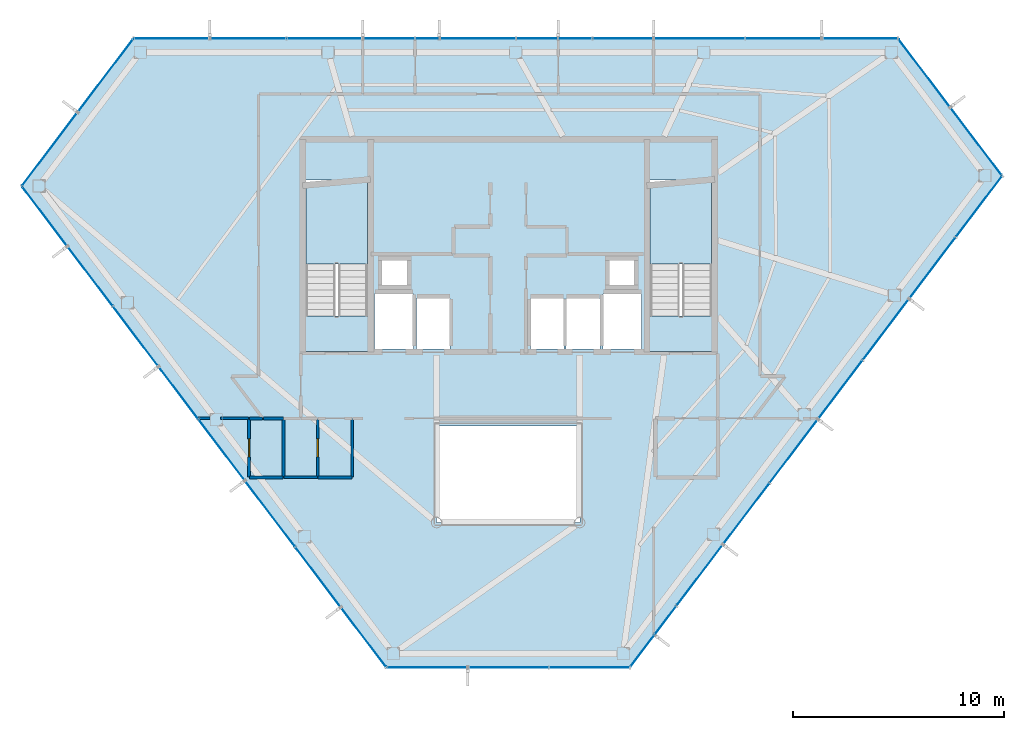
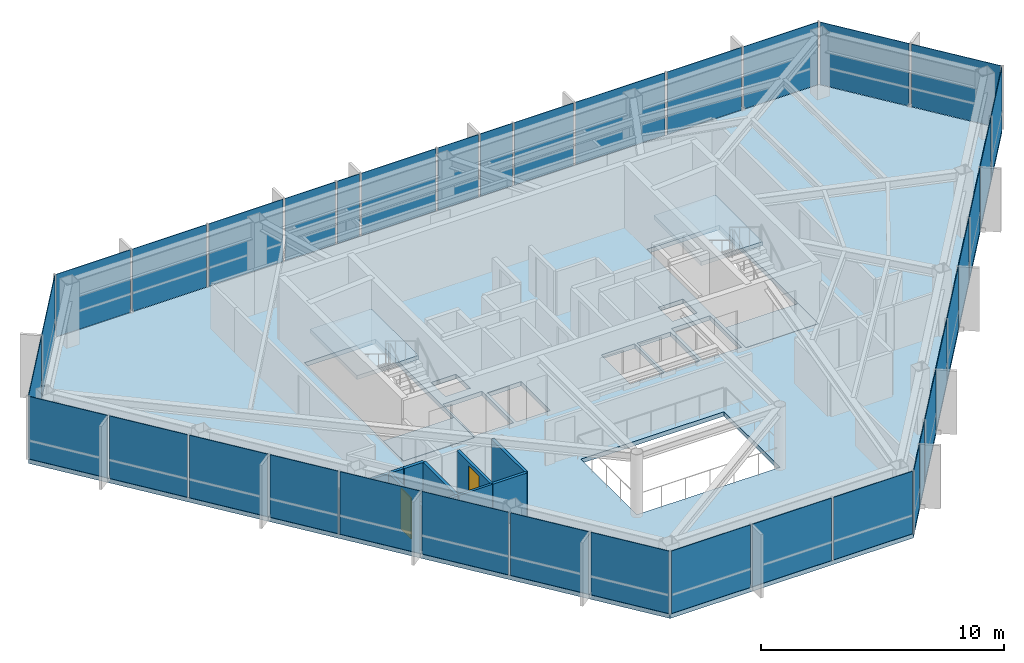
# One storey, part 23 of 27: 36 plates, 11 walls, 5 slabs, 2 doors, 2 openings, 8 elements without a shape of their own.
"""IFC4 building model written with IfcOpenShell, lengths in metres."""

from ifc_helpers import new_model, si_unit, direction, frame, frame_2d, origin, origin_2d, place, context, subcontext, project, spatial, polyline, rectangle, outline, extrude, material, layer, layer_set, type_object, element, fill, aggregate, save


model = new_model("IFC4")

# Units and contexts
model_context = context("Model", 3, precision=1e-05, world=origin(), true_north=direction((0.0, 1.0)))
body_context = subcontext(model_context, "Body", "Model", "MODEL_VIEW")
ifc_project = project(units=[si_unit("LENGTHUNIT", "METRE"), si_unit("AREAUNIT", "SQUARE_METRE"), si_unit("VOLUMEUNIT", "CUBIC_METRE"), si_unit("PLANEANGLEUNIT", "RADIAN"), si_unit("MASSUNIT", "GRAM", prefix="KILO")], contexts=[model_context])

# Site, building, storey
site_placement = place(None, origin())
site = spatial("IfcSite", under=ifc_project, at=site_placement, CompositionType="ELEMENT")
building_placement = place(site_placement, origin())
building = spatial("IfcBuilding", under=site, at=building_placement, Name="Zarrinselat Tower", CompositionType="ELEMENT")
storey_placement = place(building_placement, frame((0.0, 0.0, 232.56005859375)))
storey = spatial("IfcBuildingStorey", under=building, at=storey_placement, Name="L58", CompositionType="ELEMENT", Elevation=232.56005859375)

# Curtain wall, plates
ifc_material_1 = material(Name="Extruded Aluminium Alloy EN AW-6063 T6", Category="aluminium")
ifc_layer_1 = layer(ifc_material_1, 0.169921875)
ifc_layer_set_1 = layer_set([ifc_layer_1], Name="Extruded Aluminium Alloy EN AW-6063 T6")
curtain_wall_type = type_object("IfcCurtainWallType", Name="CWS-RES", PredefinedType="NOTDEFINED", material=ifc_layer_set_1)
curtain_wall_1_placement = place(storey_placement, origin())
curtain_wall_1 = element("IfcCurtainWall", 1, at=curtain_wall_1_placement, inside=storey, type_object=curtain_wall_type, Name="L58 Unitised Curtain Wall CW-L58-E01", PredefinedType="NOTDEFINED")
ifc_material_2 = material(Name="Double Low-E Laminated Solar Glass", Category="glass")
ifc_layer_2 = layer(ifc_material_2, 0.028076171875)
ifc_layer_set_2 = layer_set([ifc_layer_2], Name="Double Low-E Laminated Solar Glass")
plate_type = type_object("IfcPlateType", Name="PLT-CW-GL28", PredefinedType="CURTAIN_PANEL", material=ifc_layer_set_2)
plate_1_placement = place(storey_placement, frame((55.10009765625, 48.177734375, 0.02001953125), z_axis=(0.0, 0.0, 1.0), x_axis=(-1.0, 0.0, 0.0)))
plate_1 = element("IfcPlate", 2, at=plate_1_placement, type_object=plate_type, Name="CW-L58-E01 Vision Glass Panel 1", PredefinedType="CURTAIN_PANEL", context=body_context, shape_type="SweptSolid", body=[
    extrude(rectangle(XDim=3.530517578125, YDim=0.028076171875, at=origin_2d()), origin(), (0.0, 0.0, 1.0), 3.139892578125),
])
plate_2_placement = place(storey_placement, frame((51.469482421875, 48.177734375, 0.02001953125), z_axis=(0.0, 0.0, 1.0), x_axis=(-1.0, 0.0, 0.0)))
plate_2 = element("IfcPlate", 3, at=plate_2_placement, type_object=plate_type, Name="CW-L58-E01 Vision Glass Panel 2", PredefinedType="CURTAIN_PANEL", context=body_context, shape_type="SweptSolid", body=[
    extrude(rectangle(XDim=3.530517578125, YDim=0.028076171875, at=origin_2d()), origin(), (0.0, 0.0, 1.0), 3.139892578125),
])
plate_3_placement = place(storey_placement, frame((47.477294921875, 48.177734375, 0.02001953125), z_axis=(0.0, 0.0, 1.0), x_axis=(-1.0, 0.0, 0.0)))
plate_3 = element("IfcPlate", 4, at=plate_3_placement, type_object=plate_type, Name="CW-L58-E01 Vision Glass Panel 3", PredefinedType="CURTAIN_PANEL", context=body_context, shape_type="SweptSolid", body=[
    extrude(rectangle(XDim=4.25439453125, YDim=0.028076171875, at=origin_2d()), origin(), (0.0, 0.0, 1.0), 3.139892578125),
])
plate_4_placement = place(storey_placement, frame((43.846923828125, 48.177734375, 0.02001953125), z_axis=(0.0, 0.0, 1.0), x_axis=(-1.0, 0.0, 0.0)))
plate_4 = element("IfcPlate", 5, at=plate_4_placement, type_object=plate_type, Name="CW-L58-E01 Vision Glass Panel 4", PredefinedType="CURTAIN_PANEL", context=body_context, shape_type="SweptSolid", body=[
    extrude(rectangle(XDim=2.806396484375, YDim=0.028076171875, at=origin_2d()), origin(), (0.0, 0.0, 1.0), 3.139892578125),
])
plate_5_placement = place(storey_placement, frame((41.583740234375, 48.177734375, 0.02001953125), z_axis=(0.0, 0.0, 1.0), x_axis=(-1.0, 0.0, 0.0)))
plate_5 = element("IfcPlate", 6, at=plate_5_placement, type_object=plate_type, Name="CW-L58-E01 Vision Glass Panel 5", PredefinedType="CURTAIN_PANEL", context=body_context, shape_type="SweptSolid", body=[
    extrude(rectangle(XDim=1.52001953125, YDim=0.028076171875, at=origin_2d()), origin(), (0.0, 0.0, 1.0), 3.139892578125),
])
plate_6_placement = place(storey_placement, frame((39.7685546875, 48.177734375, 0.02001953125), z_axis=(0.0, 0.0, 1.0), x_axis=(-1.0, 0.0, 0.0)))
plate_6 = element("IfcPlate", 7, at=plate_6_placement, type_object=plate_type, Name="CW-L58-E01 Vision Glass Panel 6", PredefinedType="CURTAIN_PANEL", context=body_context, shape_type="SweptSolid", body=[
    extrude(rectangle(XDim=1.910400390625, YDim=0.028076171875, at=origin_2d()), origin(), (0.0, 0.0, 1.0), 3.139892578125),
])
plate_7_placement = place(storey_placement, frame((36.9482421875, 48.177734375, 0.02001953125), z_axis=(0.0, 0.0, 1.0), x_axis=(-1.0, 0.0, 0.0)))
plate_7 = element("IfcPlate", 8, at=plate_7_placement, type_object=plate_type, Name="CW-L58-E01 Vision Glass Panel 7", PredefinedType="CURTAIN_PANEL", context=body_context, shape_type="SweptSolid", body=[
    extrude(rectangle(XDim=3.530517578125, YDim=0.028076171875, at=origin_2d()), origin(), (0.0, 0.0, 1.0), 3.139892578125),
])
plate_8_placement = place(storey_placement, frame((34.55859375, 48.177734375, 0.02001953125), z_axis=(0.0, 0.0, 1.0), x_axis=(-1.0, 0.0, 0.0)))
plate_8 = element("IfcPlate", 9, at=plate_8_placement, type_object=plate_type, Name="CW-L58-E01 Vision Glass Panel 8", PredefinedType="CURTAIN_PANEL", context=body_context, shape_type="SweptSolid", body=[
    extrude(rectangle(XDim=1.049072265625, YDim=0.028076171875, at=origin_2d()), origin(), (0.0, 0.0, 1.0), 3.139892578125),
])
plate_9_placement = place(storey_placement, frame((32.741943359375, 48.177734375, 0.02001953125), z_axis=(0.0, 0.0, 1.0), x_axis=(-1.0, 0.0, 0.0)))
plate_9 = element("IfcPlate", 10, at=plate_9_placement, type_object=plate_type, Name="CW-L58-E01 Vision Glass Panel 9", PredefinedType="CURTAIN_PANEL", context=body_context, shape_type="SweptSolid", body=[
    extrude(rectangle(XDim=2.384033203125, YDim=0.028076171875, at=origin_2d()), origin(), (0.0, 0.0, 1.0), 3.139892578125),
])
plate_10_placement = place(storey_placement, frame((29.68603515625, 48.177734375, 0.02001953125), z_axis=(0.0, 0.0, 1.0), x_axis=(-1.0, 0.0, 0.0)))
plate_10 = element("IfcPlate", 11, at=plate_10_placement, type_object=plate_type, Name="CW-L58-E01 Vision Glass Panel 10", PredefinedType="CURTAIN_PANEL", context=body_context, shape_type="SweptSolid", body=[
    extrude(rectangle(XDim=3.52783203125, YDim=0.028076171875, at=origin_2d()), origin(), (0.0, 0.0, 1.0), 3.139892578125),
])
plate_11_placement = place(storey_placement, frame((26.05712890625, 48.177734375, 0.02001953125), z_axis=(0.0, 0.0, 1.0), x_axis=(-1.0, 0.0, 0.0)))
plate_11 = element("IfcPlate", 12, at=plate_11_placement, type_object=plate_type, Name="CW-L58-E01 Vision Glass Panel 11", PredefinedType="CURTAIN_PANEL", context=body_context, shape_type="SweptSolid", body=[
    extrude(rectangle(XDim=3.530517578125, YDim=0.028076171875, at=origin_2d()), origin(), (0.0, 0.0, 1.0), 3.139892578125),
])
plate_12_placement = place(storey_placement, frame((22.4267578125, 48.177734375, 0.02001953125), z_axis=(0.0, 0.0, 1.0), x_axis=(-1.0, 0.0, 0.0)))
plate_12 = element("IfcPlate", 13, at=plate_12_placement, type_object=plate_type, Name="CW-L58-E01 Vision Glass Panel 12", PredefinedType="CURTAIN_PANEL", context=body_context, shape_type="SweptSolid", body=[
    extrude(rectangle(XDim=3.530517578125, YDim=0.028076171875, at=origin_2d()), origin(), (0.0, 0.0, 1.0), 3.139892578125),
])
aggregate(curtain_wall_1, [plate_1, plate_2, plate_3, plate_4, plate_5, plate_6, plate_7, plate_8, plate_9, plate_10, plate_11, plate_12])

curtain_wall_2_placement = place(storey_placement, origin())
curtain_wall_2 = element("IfcCurtainWall", 14, at=curtain_wall_2_placement, inside=storey, type_object=curtain_wall_type, Name="L58 Unitised Curtain Wall CW-L58-E02", PredefinedType="NOTDEFINED")
plate_13_placement = place(storey_placement, frame((19.286376953125, 46.4287109375, 0.02001953125), z_axis=(0.0, 0.0, 1.0), x_axis=(-0.603855713814, -0.797093643742, 0.0)))
plate_13 = element("IfcPlate", 15, at=plate_13_placement, type_object=plate_type, Name="CW-L58-E02 Vision Glass Panel 1", PredefinedType="CURTAIN_PANEL", context=body_context, shape_type="SweptSolid", body=[
    extrude(rectangle(XDim=4.28857421875, YDim=0.028076171875, at=origin_2d()), origin(), (0.0, 0.0, 1.0), 3.139892578125),
])
plate_14_placement = place(storey_placement, frame((16.636474609375, 42.9306640625, 0.02001953125), z_axis=(0.0, 0.0, 1.0), x_axis=(-0.603855713814, -0.797093643742, 0.0)))
plate_14 = element("IfcPlate", 16, at=plate_14_placement, type_object=plate_type, Name="CW-L58-E02 Vision Glass Panel 2", PredefinedType="CURTAIN_PANEL", context=body_context, shape_type="SweptSolid", body=[
    extrude(rectangle(XDim=4.28857421875, YDim=0.028076171875, at=origin_2d()), origin(), (0.0, 0.0, 1.0), 3.139892578125),
])
aggregate(curtain_wall_2, [plate_13, plate_14])

curtain_wall_3_placement = place(storey_placement, origin())
curtain_wall_3 = element("IfcCurtainWall", 17, at=curtain_wall_3_placement, inside=storey, type_object=curtain_wall_type, Name="L58 Unitised Curtain Wall CW-L58-E03", PredefinedType="NOTDEFINED")
plate_15_placement = place(storey_placement, frame((16.39306640625, 39.75341796875, 0.02001953125), z_axis=(0.0, 0.0, 1.0), x_axis=(0.603857419315, -0.7970923517, 0.0)))
plate_15 = element("IfcPlate", 18, at=plate_15_placement, type_object=plate_type, Name="CW-L58-E03 Vision Glass Panel 1", PredefinedType="CURTAIN_PANEL", context=body_context, shape_type="SweptSolid", body=[
    extrude(rectangle(XDim=3.48291015625, YDim=0.028076171875, at=origin_2d()), origin(), (0.0, 0.0, 1.0), 3.139892578125),
])
plate_16_placement = place(storey_placement, frame((18.556640625, 36.897705078125, 0.02001953125), z_axis=(0.0, 0.0, 1.0), x_axis=(0.603857419315, -0.7970923517, 0.0)))
plate_16 = element("IfcPlate", 19, at=plate_16_placement, type_object=plate_type, Name="CW-L58-E03 Vision Glass Panel 2", PredefinedType="CURTAIN_PANEL", context=body_context, shape_type="SweptSolid", body=[
    extrude(rectangle(XDim=3.48291015625, YDim=0.028076171875, at=origin_2d()), origin(), (0.0, 0.0, 1.0), 3.139892578125),
])
plate_17_placement = place(storey_placement, frame((20.72021484375, 34.041748046875, 0.02001953125), z_axis=(0.0, 0.0, 1.0), x_axis=(0.603857419315, -0.7970923517, 0.0)))
plate_17 = element("IfcPlate", 20, at=plate_17_placement, type_object=plate_type, Name="CW-L58-E03 Vision Glass Panel 3", PredefinedType="CURTAIN_PANEL", context=body_context, shape_type="SweptSolid", body=[
    extrude(rectangle(XDim=3.48291015625, YDim=0.028076171875, at=origin_2d()), origin(), (0.0, 0.0, 1.0), 3.139892578125),
])
plate_18_placement = place(storey_placement, frame((22.7490234375, 31.36376953125, 0.02001953125), z_axis=(0.0, 0.0, 1.0), x_axis=(0.603857419315, -0.7970923517, 0.0)))
plate_18 = element("IfcPlate", 21, at=plate_18_placement, type_object=plate_type, Name="CW-L58-E03 Vision Glass Panel 4", PredefinedType="CURTAIN_PANEL", context=body_context, shape_type="SweptSolid", body=[
    extrude(rectangle(XDim=3.036376953125, YDim=0.028076171875, at=origin_2d()), origin(), (0.0, 0.0, 1.0), 3.139892578125),
])
plate_19_placement = place(storey_placement, frame((24.79931640625, 28.6572265625, 0.02001953125), z_axis=(0.0, 0.0, 1.0), x_axis=(0.603857419315, -0.7970923517, 0.0)))
plate_19 = element("IfcPlate", 22, at=plate_19_placement, type_object=plate_type, Name="CW-L58-E03 Vision Glass Panel 5", PredefinedType="CURTAIN_PANEL", context=body_context, shape_type="SweptSolid", body=[
    extrude(rectangle(XDim=3.5546875, YDim=0.028076171875, at=origin_2d()), origin(), (0.0, 0.0, 1.0), 3.139892578125),
])
plate_20_placement = place(storey_placement, frame((27.097900390625, 25.623291015625, 0.02001953125), z_axis=(0.0, 0.0, 1.0), x_axis=(0.603857419315, -0.7970923517, 0.0)))
plate_20 = element("IfcPlate", 23, at=plate_20_placement, type_object=plate_type, Name="CW-L58-E03 Vision Glass Panel 6", PredefinedType="CURTAIN_PANEL", context=body_context, shape_type="SweptSolid", body=[
    extrude(rectangle(XDim=3.85791015625, YDim=0.028076171875, at=origin_2d()), origin(), (0.0, 0.0, 1.0), 3.139892578125),
])
plate_21_placement = place(storey_placement, frame((29.37451171875, 22.617919921875, 0.02001953125), z_axis=(0.0, 0.0, 1.0), x_axis=(0.603857419315, -0.7970923517, 0.0)))
plate_21 = element("IfcPlate", 24, at=plate_21_placement, type_object=plate_type, Name="CW-L58-E03 Vision Glass Panel 7", PredefinedType="CURTAIN_PANEL", context=body_context, shape_type="SweptSolid", body=[
    extrude(rectangle(XDim=3.48291015625, YDim=0.028076171875, at=origin_2d()), origin(), (0.0, 0.0, 1.0), 3.139892578125),
])
plate_22_placement = place(storey_placement, frame((31.5380859375, 19.761962890625, 0.02001953125), z_axis=(0.0, 0.0, 1.0), x_axis=(0.603857419315, -0.7970923517, 0.0)))
plate_22 = element("IfcPlate", 25, at=plate_22_placement, type_object=plate_type, Name="CW-L58-E03 Vision Glass Panel 8", PredefinedType="CURTAIN_PANEL", context=body_context, shape_type="SweptSolid", body=[
    extrude(rectangle(XDim=3.48291015625, YDim=0.028076171875, at=origin_2d()), origin(), (0.0, 0.0, 1.0), 3.139892578125),
])
aggregate(curtain_wall_3, [plate_15, plate_16, plate_17, plate_18, plate_19, plate_20, plate_21, plate_22])

curtain_wall_4_placement = place(storey_placement, origin())
curtain_wall_4 = element("IfcCurtainWall", 26, at=curtain_wall_4_placement, inside=storey, type_object=curtain_wall_type, Name="L58 Unitised Curtain Wall CW-L58-E04", PredefinedType="NOTDEFINED")
plate_23_placement = place(storey_placement, frame((34.546630859375, 18.333984375, 0.02001953125), z_axis=(0.0, 0.0, 1.0), x_axis=(1.0, 0.0, 0.0)))
plate_23 = element("IfcPlate", 27, at=plate_23_placement, type_object=plate_type, Name="CW-L58-E04 Vision Glass Panel 1", PredefinedType="CURTAIN_PANEL", context=body_context, shape_type="SweptSolid", body=[
    extrude(rectangle(XDim=3.75341796875, YDim=0.028076171875, at=origin_2d()), origin(), (0.0, 0.0, 1.0), 3.139892578125),
])
plate_24_placement = place(storey_placement, frame((38.39990234375, 18.333984375, 0.02001953125), z_axis=(0.0, 0.0, 1.0), x_axis=(1.0, 0.0, 0.0)))
plate_24 = element("IfcPlate", 28, at=plate_24_placement, type_object=plate_type, Name="CW-L58-E04 Vision Glass Panel 2", PredefinedType="CURTAIN_PANEL", context=body_context, shape_type="SweptSolid", body=[
    extrude(rectangle(XDim=3.75341796875, YDim=0.028076171875, at=origin_2d()), origin(), (0.0, 0.0, 1.0), 3.139892578125),
])
plate_25_placement = place(storey_placement, frame((42.25341796875, 18.333984375, 0.02001953125), z_axis=(0.0, 0.0, 1.0), x_axis=(1.0, 0.0, 0.0)))
plate_25 = element("IfcPlate", 29, at=plate_25_placement, type_object=plate_type, Name="CW-L58-E04 Vision Glass Panel 3", PredefinedType="CURTAIN_PANEL", context=body_context, shape_type="SweptSolid", body=[
    extrude(rectangle(XDim=3.75341796875, YDim=0.028076171875, at=origin_2d()), origin(), (0.0, 0.0, 1.0), 3.139892578125),
])
aggregate(curtain_wall_4, [plate_23, plate_24, plate_25])

curtain_wall_5_placement = place(storey_placement, origin())
curtain_wall_5 = element("IfcCurtainWall", 30, at=curtain_wall_5_placement, inside=storey, type_object=curtain_wall_type, Name="L58 Unitised Curtain Wall CW-L58-E05", PredefinedType="NOTDEFINED")
plate_26_placement = place(storey_placement, frame((44.763916015625, 19.104736328125, 0.02001953125), z_axis=(0.0, 0.0, 1.0), x_axis=(0.603858872188, 0.797091251037, 0.0)))
plate_26 = element("IfcPlate", 31, at=plate_26_placement, type_object=plate_type, Name="CW-L58-E05 Vision Glass Panel 1", PredefinedType="CURTAIN_PANEL", context=body_context, shape_type="SweptSolid", body=[
    extrude(rectangle(XDim=1.833984375, YDim=0.028076171875, at=origin_2d()), origin(), (0.0, 0.0, 1.0), 3.139892578125),
])
plate_27_placement = place(storey_placement, frame((45.868408203125, 20.562744140625, 0.02001953125), z_axis=(0.0, 0.0, 1.0), x_axis=(0.603858872188, 0.797091251037, 0.0)))
plate_27 = element("IfcPlate", 32, at=plate_27_placement, type_object=plate_type, Name="CW-L58-E05 Vision Glass Panel 2", PredefinedType="CURTAIN_PANEL", context=body_context, shape_type="SweptSolid", body=[
    extrude(rectangle(XDim=1.624267578125, YDim=0.028076171875, at=origin_2d()), origin(), (0.0, 0.0, 1.0), 3.139892578125),
])
plate_28_placement = place(storey_placement, frame((47.493408203125, 22.707763671875, 0.02001953125), z_axis=(0.0, 0.0, 1.0), x_axis=(0.603858872188, 0.797091251037, 0.0)))
plate_28 = element("IfcPlate", 33, at=plate_28_placement, type_object=plate_type, Name="CW-L58-E05 Vision Glass Panel 3", PredefinedType="CURTAIN_PANEL", context=body_context, shape_type="SweptSolid", body=[
    extrude(rectangle(XDim=3.55810546875, YDim=0.028076171875, at=origin_2d()), origin(), (0.0, 0.0, 1.0), 3.139892578125),
])
plate_29_placement = place(storey_placement, frame((49.702392578125, 25.623779296875, 0.02001953125), z_axis=(0.0, 0.0, 1.0), x_axis=(0.603858872188, 0.797091251037, 0.0)))
plate_29 = element("IfcPlate", 34, at=plate_29_placement, type_object=plate_type, Name="CW-L58-E05 Vision Glass Panel 4", PredefinedType="CURTAIN_PANEL", context=body_context, shape_type="SweptSolid", body=[
    extrude(rectangle(XDim=3.55810546875, YDim=0.028076171875, at=origin_2d()), origin(), (0.0, 0.0, 1.0), 3.139892578125),
])
plate_30_placement = place(storey_placement, frame((51.95556640625, 28.59765625, 0.02001953125), z_axis=(0.0, 0.0, 1.0), x_axis=(0.603858872188, 0.797091251037, 0.0)))
plate_30 = element("IfcPlate", 35, at=plate_30_placement, type_object=plate_type, Name="CW-L58-E05 Vision Glass Panel 5", PredefinedType="CURTAIN_PANEL", context=body_context, shape_type="SweptSolid", body=[
    extrude(rectangle(XDim=3.7041015625, YDim=0.028076171875, at=origin_2d()), origin(), (0.0, 0.0, 1.0), 3.139892578125),
])
plate_31_placement = place(storey_placement, frame((54.16455078125, 31.513671875, 0.02001953125), z_axis=(0.0, 0.0, 1.0), x_axis=(0.603858872188, 0.797091251037, 0.0)))
plate_31 = element("IfcPlate", 36, at=plate_31_placement, type_object=plate_type, Name="CW-L58-E05 Vision Glass Panel 6", PredefinedType="CURTAIN_PANEL", context=body_context, shape_type="SweptSolid", body=[
    extrude(rectangle(XDim=3.412353515625, YDim=0.028076171875, at=origin_2d()), origin(), (0.0, 0.0, 1.0), 3.139892578125),
])
plate_32_placement = place(storey_placement, frame((56.32958984375, 34.371337890625, 0.02001953125), z_axis=(0.0, 0.0, 1.0), x_axis=(0.603858872188, 0.797091251037, 0.0)))
plate_32 = element("IfcPlate", 37, at=plate_32_placement, type_object=plate_type, Name="CW-L58-E05 Vision Glass Panel 7", PredefinedType="CURTAIN_PANEL", context=body_context, shape_type="SweptSolid", body=[
    extrude(rectangle(XDim=3.55810546875, YDim=0.028076171875, at=origin_2d()), origin(), (0.0, 0.0, 1.0), 3.139892578125),
])
plate_33_placement = place(storey_placement, frame((58.53857421875, 37.287353515625, 0.02001953125), z_axis=(0.0, 0.0, 1.0), x_axis=(0.603858872188, 0.797091251037, 0.0)))
plate_33 = element("IfcPlate", 38, at=plate_33_placement, type_object=plate_type, Name="CW-L58-E05 Vision Glass Panel 8", PredefinedType="CURTAIN_PANEL", context=body_context, shape_type="SweptSolid", body=[
    extrude(rectangle(XDim=3.55810546875, YDim=0.028076171875, at=origin_2d()), origin(), (0.0, 0.0, 1.0), 3.139892578125),
])
plate_34_placement = place(storey_placement, frame((60.74755859375, 40.203125, 0.02001953125), z_axis=(0.0, 0.0, 1.0), x_axis=(0.603858872188, 0.797091251037, 0.0)))
plate_34 = element("IfcPlate", 39, at=plate_34_placement, type_object=plate_type, Name="CW-L58-E05 Vision Glass Panel 9", PredefinedType="CURTAIN_PANEL", context=body_context, shape_type="SweptSolid", body=[
    extrude(rectangle(XDim=3.55810546875, YDim=0.028076171875, at=origin_2d()), origin(), (0.0, 0.0, 1.0), 3.139892578125),
])
aggregate(curtain_wall_5, [plate_26, plate_27, plate_28, plate_29, plate_30, plate_31, plate_32, plate_33, plate_34])

curtain_wall_6_placement = place(storey_placement, origin())
curtain_wall_6 = element("IfcCurtainWall", 40, at=curtain_wall_6_placement, inside=storey, type_object=curtain_wall_type, Name="L58 Unitised Curtain Wall CW-L58-E06", PredefinedType="NOTDEFINED")
plate_35_placement = place(storey_placement, frame((60.617919921875, 43.290283203125, 0.02001953125), z_axis=(0.0, 0.0, 1.0), x_axis=(-0.603858158982, 0.797091791346, 0.0)))
plate_35 = element("IfcPlate", 41, at=plate_35_placement, type_object=plate_type, Name="CW-L58-E06 Vision Glass Panel 1", PredefinedType="CURTAIN_PANEL", context=body_context, shape_type="SweptSolid", body=[
    extrude(rectangle(XDim=3.98779296875, YDim=0.028076171875, at=origin_2d()), origin(), (0.0, 0.0, 1.0), 3.139892578125),
])
plate_36_placement = place(storey_placement, frame((58.1494140625, 46.548583984375, 0.02001953125), z_axis=(0.0, 0.0, 1.0), x_axis=(-0.603858158982, 0.797091791346, 0.0)))
plate_36 = element("IfcPlate", 42, at=plate_36_placement, type_object=plate_type, Name="CW-L58-E06 Vision Glass Panel 2", PredefinedType="CURTAIN_PANEL", context=body_context, shape_type="SweptSolid", body=[
    extrude(rectangle(XDim=3.98779296875, YDim=0.028076171875, at=origin_2d()), origin(), (0.0, 0.0, 1.0), 3.139892578125),
])
aggregate(curtain_wall_6, [plate_35, plate_36])

# Slabs
ifc_material_3 = material(Name="Concrete C40/50", Category="concrete")
ifc_layer_3 = layer(ifc_material_3, 0.219970703125)
ifc_layer_set_3 = layer_set([ifc_layer_3], Name="Concrete C40/50")
slab_type_1 = type_object("IfcSlabType", Name="SLB-FLOOR-220-SL-RS220", PredefinedType="FLOOR", material=ifc_layer_set_3)
slab_1_placement = place(storey_placement, frame((0.0, 0.0, -0.219970703125)))
element("IfcSlab", 43, at=slab_1_placement, inside=storey, type_object=slab_type_1, Name="L58 Primary Structural Slab", PredefinedType="FLOOR", context=body_context, shape_type="SweptSolid", body=[
    extrude(outline(polyline([(56.915283203125, 48.177734375), (20.611572265625, 48.177734375), (15.311279296875, 41.181396484375), (32.6201171875, 18.333984375), (44.179931640625, 18.333984375), (61.85205078125, 41.6611328125), (56.915283203125, 48.177734375)]), holes=[polyline([(41.800048828125, 25.199951171875), (35.0, 25.199951171875), (35.0, 29.800048828125), (41.800048828125, 29.800048828125), (41.800048828125, 25.199951171875)]), polyline([(35.64990234375, 33.449951171875), (34.050048828125, 33.449951171875), (34.050048828125, 35.85009765625), (35.64990234375, 35.85009765625), (35.64990234375, 33.449951171875)]), polyline([(41.050048828125, 33.449951171875), (39.449951171875, 33.449951171875), (39.449951171875, 35.85009765625), (41.050048828125, 35.85009765625), (41.050048828125, 33.449951171875)]), polyline([(41.14990234375, 33.449951171875), (41.14990234375, 35.85009765625), (42.75, 35.85009765625), (42.75, 33.449951171875), (41.14990234375, 33.449951171875)]), polyline([(32.06005859375, 33.449951171875), (32.06005859375, 36.050048828125), (33.89990234375, 36.050048828125), (33.89990234375, 33.449951171875), (32.06005859375, 33.449951171875)]), polyline([(44.739990234375, 33.449951171875), (42.89990234375, 33.449951171875), (42.89990234375, 36.050048828125), (44.739990234375, 36.050048828125), (44.739990234375, 33.449951171875)]), polyline([(33.60009765625, 36.47998046875), (32.419921875, 36.47998046875), (32.419921875, 37.639892578125), (33.60009765625, 37.639892578125), (33.60009765625, 36.47998046875)]), polyline([(44.3798828125, 36.47998046875), (43.199951171875, 36.47998046875), (43.199951171875, 37.639892578125), (44.3798828125, 37.639892578125), (44.3798828125, 36.47998046875)]), polyline([(31.985107421875, 33.324951171875), (28.60498046875, 33.324951171875), (28.60498046875, 41.47509765625), (31.985107421875, 41.47509765625), (31.985107421875, 33.324951171875)]), polyline([(48.324951171875, 33.324951171875), (44.875, 33.324951171875), (44.875, 41.47509765625), (48.324951171875, 41.47509765625), (48.324951171875, 33.324951171875)])]), origin(), (0.0, 0.0, 1.0), 0.219970703125),
])
slab_2_placement = place(storey_placement, frame((0.0, 0.0, -0.219970703125)))
element("IfcSlab", 44, at=slab_2_placement, inside=storey, type_object=slab_type_1, Name="L58 Stair ST-1-FL1 Structural Floor Landing", PredefinedType="FLOOR", context=body_context, shape_type="SweptSolid", body=[
    extrude(outline(polyline([(31.97998046875, 33.330078125), (31.97998046875, 35.0), (28.610107421875, 35.0), (28.610107421875, 33.330078125), (31.97998046875, 33.330078125)])), origin(), (0.0, 0.0, 1.0), 0.219970703125),
])
slab_3_placement = place(storey_placement, frame((0.0, 0.0, -0.219970703125)))
element("IfcSlab", 45, at=slab_3_placement, inside=storey, type_object=slab_type_1, Name="L58 Stair ST-2-FL1 Structural Floor Landing", PredefinedType="FLOOR", context=body_context, shape_type="SweptSolid", body=[
    extrude(outline(polyline([(48.320068359375, 33.330078125), (48.320068359375, 35.0), (44.8798828125, 35.0), (44.8798828125, 33.330078125), (48.320068359375, 33.330078125)])), origin(), (0.0, 0.0, 1.0), 0.219970703125),
])

# Stair, slab
ifc_material_4 = material(Name="Concrete C40/50", Category="concrete")
stair_type = type_object("IfcStairType", Name="STR-CORE-155", PredefinedType="HALF_TURN_STAIR", material=ifc_material_4)
stair_1_placement = place(storey_placement, origin())
stair_1 = element("IfcStair", 46, at=stair_1_placement, inside=storey, type_object=stair_type, Name="L58 Core Exit Stair 1", PredefinedType="HALF_TURN_STAIR")
ifc_material_5 = material(Name="Concrete C40/50", Category="concrete")
ifc_layer_4 = layer(ifc_material_5, 0.18994140625)
ifc_layer_set_4 = layer_set([ifc_layer_4], Name="Concrete C40/50")
slab_type_2 = type_object("IfcSlabType", Name="SLB-LND-190", PredefinedType="LANDING", material=ifc_layer_set_4)
slab_4_placement = place(storey_placement, frame((0.0, 0.0, 1.5)))
slab_4 = element("IfcSlab", 47, at=slab_4_placement, type_object=slab_type_2, Name="ST-1 landing 1", PredefinedType="LANDING", context=body_context, shape_type="SweptSolid", body=[
    extrude(outline(polyline([(31.719970703125, 37.47998046875), (31.719970703125, 41.35009765625), (28.800048828125, 41.35009765625), (28.800048828125, 37.47998046875), (31.719970703125, 37.47998046875)])), origin(), (0.0, 0.0, 1.0), 0.199951171875),
])
aggregate(stair_1, [slab_4])

stair_2_placement = place(storey_placement, origin())
stair_2 = element("IfcStair", 48, at=stair_2_placement, inside=storey, type_object=stair_type, Name="L58 Core Exit Stair 2", PredefinedType="HALF_TURN_STAIR")
slab_5_placement = place(storey_placement, frame((0.0, 0.0, 1.5)))
slab_5 = element("IfcSlab", 49, at=slab_5_placement, type_object=slab_type_2, Name="ST-2 landing 1", PredefinedType="LANDING", context=body_context, shape_type="SweptSolid", body=[
    extrude(outline(polyline([(48.06005859375, 37.47998046875), (48.06005859375, 41.35009765625), (45.139892578125, 41.35009765625), (45.139892578125, 37.47998046875), (48.06005859375, 37.47998046875)])), origin(), (0.0, 0.0, 1.0), 0.199951171875),
])
aggregate(stair_2, [slab_5])

# Walls
ifc_material_6 = material(Name="Fire-Rated Gypsum Board Partition", Category="gypsum")
ifc_layer_5 = layer(ifc_material_6, 0.14990234375)
ifc_layer_set_5 = layer_set([ifc_layer_5], Name="Fire-Rated Gypsum Board Partition")
wall_type_1 = type_object("IfcWallType", Name="WAL-PART-EI60", PredefinedType="PARTITIONING", material=ifc_layer_set_5)
wall_1_placement = place(storey_placement, frame((26.774658203125, 30.14990234375, 0.0), z_axis=(0.0, 0.0, 1.0), x_axis=(1.0, 0.0, 0.0)))
element("IfcWall", 50, at=wall_1_placement, inside=storey, type_object=wall_type_1, Name="L58 Partition Wall 23", PredefinedType="PARTITIONING", context=body_context, shape_type="SweptSolid", body=[
    extrude(rectangle(XDim=0.950439453125, YDim=0.14990234375, at=frame_2d((0.47509765625, 0.0))), origin(), (0.0, 0.0, 1.0), 2.23486328125),
])
ifc_material_7 = material(Name="Fire-Rated Gypsum Board Partition", Category="gypsum")
ifc_layer_6 = layer(ifc_material_7, 0.1201171875)
ifc_layer_set_6 = layer_set([ifc_layer_6], Name="Fire-Rated Gypsum Board Partition")
wall_type_2 = type_object("IfcWallType", Name="WAL-PART-STD", PredefinedType="PARTITIONING", material=ifc_layer_set_6)
wall_2_placement = place(storey_placement, frame((27.75, 27.35009765625, 0.0), z_axis=(0.0, 0.0, 1.0), x_axis=(1.0, 0.0, 0.0)))
element("IfcWall", 51, at=wall_2_placement, inside=storey, type_object=wall_type_2, Name="L58 Partition Wall 48", PredefinedType="PARTITIONING", context=body_context, shape_type="SweptSolid", body=[
    extrude(rectangle(XDim=1.590087890625, YDim=0.1201171875, at=frame_2d((0.794921875, 0.0))), origin(), (0.0, 0.0, 1.0), 2.23486328125),
])
wall_3_placement = place(storey_placement, frame((23.68359375, 30.14990234375, 0.0), z_axis=(0.0, 0.0, 1.0), x_axis=(1.0, 0.0, 0.0)))
element("IfcWall", 52, at=wall_3_placement, inside=storey, type_object=wall_type_2, Name="L58 Partition Wall 50", PredefinedType="PARTITIONING", context=body_context, shape_type="SweptSolid", body=[
    extrude(rectangle(XDim=0.56201171875, YDim=0.1201171875, at=frame_2d((0.281005859375, 0.0))), origin(), (0.0, 0.0, 1.0), 2.23486328125),
])
wall_4_placement = place(storey_placement, frame((24.75439453125, 30.14990234375, 0.0), z_axis=(0.0, 0.0, 1.0), x_axis=(1.0, 0.0, 0.0)))
element("IfcWall", 53, at=wall_4_placement, inside=storey, type_object=wall_type_2, Name="L58 Partition Wall 51", PredefinedType="PARTITIONING", context=body_context, shape_type="SweptSolid", body=[
    extrude(rectangle(XDim=1.32568359375, YDim=0.1201171875, at=frame_2d((0.662841796875, 0.0))), origin(), (0.0, 0.0, 1.0), 2.23486328125),
])

# Wall, opening, door
ifc_material_8 = material(Name="Fire-Rated Gypsum Board Partition", Category="gypsum")
ifc_layer_7 = layer(ifc_material_8, 0.135009765625)
ifc_layer_set_7 = layer_set([ifc_layer_7], Name="Fire-Rated Gypsum Board Partition")
wall_type_3 = type_object("IfcWallType", Name="WAL-PART-WET", PredefinedType="PARTITIONING", material=ifc_layer_set_7)
wall_5_placement = place(storey_placement, frame((29.360107421875, 27.3701171875, 0.0), z_axis=(0.0, 0.0, 1.0), x_axis=(0.0, 1.0, 0.0)))
wall_5 = element("IfcWall", 54, at=wall_5_placement, inside=storey, type_object=wall_type_3, Name="L58 Partition Wall 41", PredefinedType="PARTITIONING", context=body_context, shape_type="SweptSolid", body=[
    extrude(rectangle(XDim=2.759765625, YDim=0.135009765625, at=frame_2d((1.3798828125, 0.0))), origin(), (0.0, 0.0, 1.0), 2.23486328125),
])
opening_1_placement = place(wall_5_placement, frame((0.949951171875, 0.0, 0.0)))
opening_1 = element("IfcOpeningElement", 55, at=opening_1_placement, cuts=wall_5, Name="Opening ID-06", PredefinedType="OPENING", context=body_context, shape_type="SweptSolid", body=[
    extrude(rectangle(XDim=0.860107421875, YDim=2.050048828125, at=frame_2d((0.43017578125, 1.02490234375))), frame((0.0, 0.077392578125, 0.0), z_axis=(0.0, -1.0, 0.0), x_axis=(1.0, 0.0, 0.0)), (0.0, 0.0, 1.0), 0.155029296875),
])
ifc_material_9 = material(Name="Extruded Aluminium Alloy EN AW-6063 T6", Category="aluminium")
door_type = type_object("IfcDoorType", Name="DR-INT-WET-900", OperationType="NOTDEFINED", PredefinedType="DOOR", material=ifc_material_9)
door_1_placement = place(opening_1_placement, origin())
door_1 = element("IfcDoor", 56, at=door_1_placement, inside=storey, type_object=door_type, Name="L58 Interior Door P41", OperationType="SINGLE_SWING_RIGHT", OverallHeight=2.050048828125, OverallWidth=0.860107421875, PredefinedType="DOOR", context=body_context, shape_type="SweptSolid", body=[
    extrude(rectangle(XDim=0.860107421875, YDim=2.050048828125, at=frame_2d((0.43017578125, 1.02490234375))), frame((0.0, 0.02490234375, 0.0), z_axis=(0.0, -1.0, 0.0), x_axis=(1.0, 0.0, 0.0)), (0.0, 0.0, 1.0), 0.050048828125),
])
fill(opening_1, door_1)

# Walls
wall_6_placement = place(storey_placement, frame((29.3798828125, 27.35009765625, 0.0), z_axis=(0.0, 0.0, 1.0), x_axis=(1.0, 0.0, 0.0)))
element("IfcWall", 57, at=wall_6_placement, inside=storey, type_object=wall_type_3, Name="L58 Partition Wall 42", PredefinedType="PARTITIONING", context=body_context, shape_type="SweptSolid", body=[
    extrude(rectangle(XDim=1.60009765625, YDim=0.135009765625, at=frame_2d((0.800048828125, 0.0))), origin(), (0.0, 0.0, 1.0), 2.23486328125),
])
for number, where, z_axis, x_axis, name in (
    (58, (31.0, 27.3701171875, 0.0), (0.0, 0.0, 1.0), (0.0, 1.0, 0.0), "L58 Partition Wall 43"),
    (59, (27.72998046875, 27.3701171875, 0.0), (0.0, 0.0, 1.0), (0.0, 1.0, 0.0), "L58 Partition Wall 44"),
):
    element("IfcWall", number, at=place(storey_placement, frame(where, z_axis=z_axis, x_axis=x_axis)), inside=storey, type_object=wall_type_3, Name=name, PredefinedType="PARTITIONING", context=body_context, shape_type="SweptSolid", body=[
        extrude(rectangle(XDim=2.759765625, YDim=0.135009765625, at=frame_2d((1.3798828125, 0.0))), origin(), (0.0, 0.0, 1.0), 2.23486328125),
    ])
wall_7_placement = place(storey_placement, frame((26.1201171875, 27.35009765625, 0.0), z_axis=(0.0, 0.0, 1.0), x_axis=(1.0, 0.0, 0.0)))
element("IfcWall", 60, at=wall_7_placement, inside=storey, type_object=wall_type_3, Name="L58 Partition Wall 45", PredefinedType="PARTITIONING", context=body_context, shape_type="SweptSolid", body=[
    extrude(rectangle(XDim=1.58984375, YDim=0.135009765625, at=frame_2d((0.794921875, 0.0))), origin(), (0.0, 0.0, 1.0), 2.23486328125),
])

# Wall, opening, door
wall_8_placement = place(storey_placement, frame((26.10009765625, 27.3701171875, 0.0), z_axis=(0.0, 0.0, 1.0), x_axis=(0.0, 1.0, 0.0)))
wall_8 = element("IfcWall", 61, at=wall_8_placement, inside=storey, type_object=wall_type_3, Name="L58 Partition Wall 46", PredefinedType="PARTITIONING", context=body_context, shape_type="SweptSolid", body=[
    extrude(rectangle(XDim=2.759765625, YDim=0.135009765625, at=frame_2d((1.3798828125, 0.0))), origin(), (0.0, 0.0, 1.0), 2.23486328125),
])
opening_2_placement = place(wall_8_placement, frame((0.949951171875, 0.0, 0.0)))
opening_2 = element("IfcOpeningElement", 62, at=opening_2_placement, cuts=wall_8, Name="Opening ID-06", PredefinedType="OPENING", context=body_context, shape_type="SweptSolid", body=[
    extrude(rectangle(XDim=0.860107421875, YDim=2.050048828125, at=frame_2d((0.43017578125, 1.02490234375))), frame((0.0, 0.077392578125, 0.0), z_axis=(0.0, -1.0, 0.0), x_axis=(1.0, 0.0, 0.0)), (0.0, 0.0, 1.0), 0.155029296875),
])
door_2_placement = place(opening_2_placement, origin())
door_2 = element("IfcDoor", 63, at=door_2_placement, inside=storey, type_object=door_type, Name="L58 Interior Door P46", OperationType="SINGLE_SWING_LEFT", OverallHeight=2.050048828125, OverallWidth=0.860107421875, PredefinedType="DOOR", context=body_context, shape_type="SweptSolid", body=[
    extrude(rectangle(XDim=0.860107421875, YDim=2.050048828125, at=frame_2d((0.43017578125, 1.02490234375))), frame((0.0, 0.02490234375, 0.0), z_axis=(0.0, -1.0, 0.0), x_axis=(1.0, 0.0, 0.0)), (0.0, 0.0, 1.0), 0.050048828125),
])
fill(opening_2, door_2)

# Wall
wall_9_placement = place(storey_placement, frame((26.1201171875, 30.14990234375, 0.0), z_axis=(0.0, 0.0, 1.0), x_axis=(1.0, 0.0, 0.0)))
element("IfcWall", 64, at=wall_9_placement, inside=storey, type_object=wall_type_3, Name="L58 Partition Wall 47", PredefinedType="PARTITIONING", context=body_context, shape_type="SweptSolid", body=[
    extrude(rectangle(XDim=0.614501953125, YDim=0.135009765625, at=frame_2d((0.30712890625, 0.0))), origin(), (0.0, 0.0, 1.0), 2.23486328125),
])

save(model, "model.ifc")
